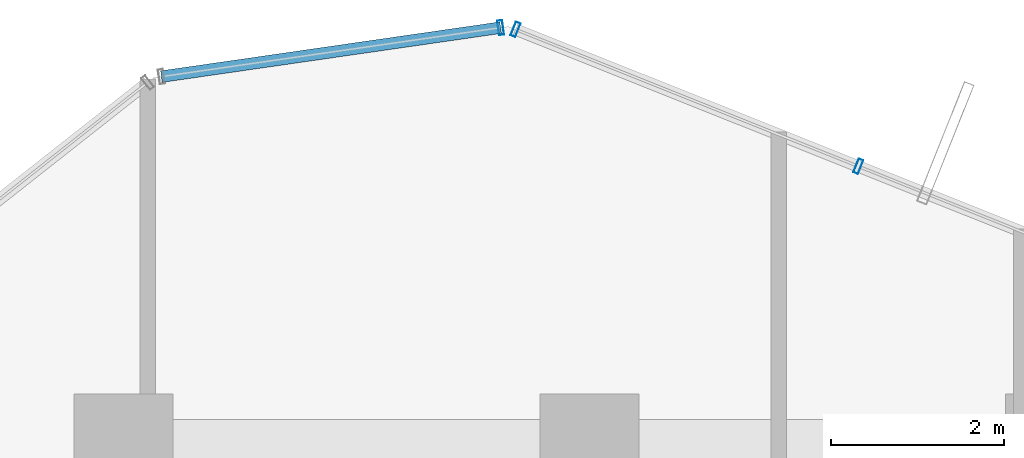
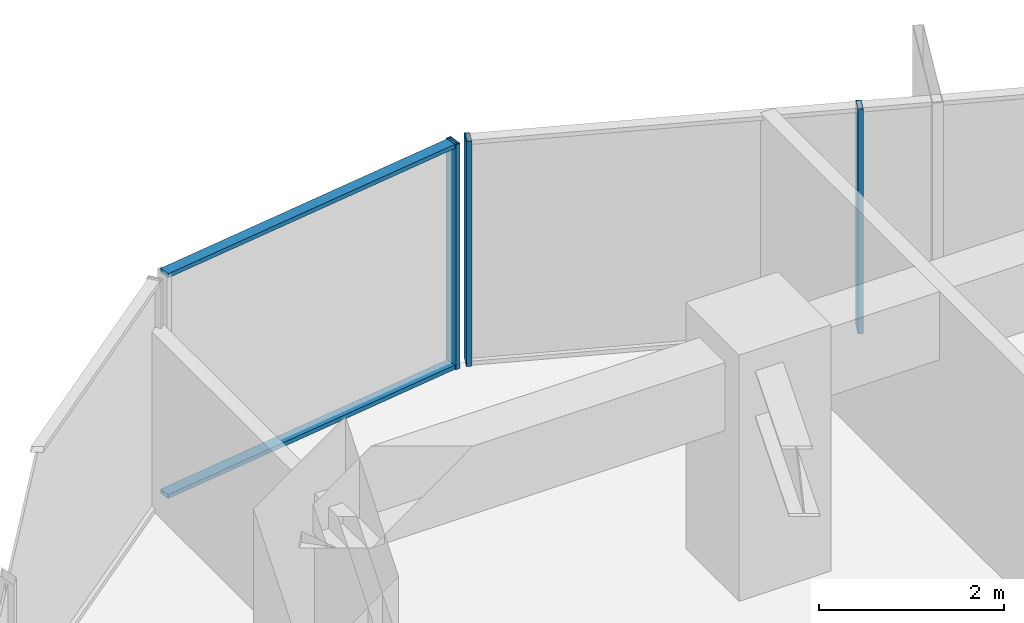
# One storey, part 27 of 34: 5 members, 2 elements without a shape of their own.
"""IFC4 building model written with IfcOpenShell, lengths in metres."""

from ifc_helpers import new_model, si_unit, direction, frame, origin, origin_2d, place, context, subcontext, project, spatial, hollow_rectangle, extrude, source, transform, mapped, material, layer, layer_set, material_profile, profile_set, type_object, element, aggregate, save


model = new_model("IFC4")

# Units and contexts
model_context = context("Model", 3, precision=1e-05, world=origin(), true_north=direction((0.0, 1.0)))
body_context = subcontext(model_context, "Body", "Model", "MODEL_VIEW")
ifc_project = project(units=[si_unit("LENGTHUNIT", "METRE"), si_unit("AREAUNIT", "SQUARE_METRE"), si_unit("VOLUMEUNIT", "CUBIC_METRE"), si_unit("PLANEANGLEUNIT", "RADIAN"), si_unit("MASSUNIT", "GRAM", prefix="KILO")], contexts=[model_context])

# Site, building, storey
site_placement = place(None, origin())
site = spatial("IfcSite", under=ifc_project, at=site_placement, CompositionType="ELEMENT")
building_placement = place(site_placement, origin())
building = spatial("IfcBuilding", under=site, at=building_placement, Name="Veraguas Prism Commons", CompositionType="ELEMENT")
storey_placement = place(building_placement, frame((0.0, 0.0, 155.5)))
storey = spatial("IfcBuildingStorey", under=building, at=storey_placement, Name="L44", CompositionType="ELEMENT", Elevation=155.5)

# Curtain wall, members
ifc_material = material(Name="Anodised aluminium EN AW-6063 T6", Category="aluminium")
ifc_layer = layer(ifc_material, 0.169921875, Name="Unitised Flush Curtain Wall Zone 2", Category="aluminium")
ifc_layer_set = layer_set([ifc_layer], Name="Anodised aluminium EN AW-6063 T6")
curtain_wall_type = type_object("IfcCurtainWallType", Name="Unitised Flush Curtain Wall Zone 2", PredefinedType="NOTDEFINED", material=ifc_layer_set)
curtain_wall_1_placement = place(storey_placement, origin())
curtain_wall_1 = element("IfcCurtainWall", 1, at=curtain_wall_1_placement, inside=storey, type_object=curtain_wall_type, Name="Tower Facade Curtain Wall L44-F1", PredefinedType="NOTDEFINED")
ifc_material_profile_1 = material_profile(ifc_material, hollow_rectangle(XDim=0.06005859375, YDim=0.169921875, WallThickness=0.00390625, at=origin_2d()), Name="AL60X170X4")
ifc_profile_set_1 = profile_set([ifc_material_profile_1], Name="Anodised aluminium EN AW-6063 T6")
member_type_1 = type_object("IfcMemberType", Name="Curtain Wall Mullion Lower AL 60x170x4", PredefinedType="MULLION", material=ifc_profile_set_1)
shared_shape_1 = source(origin(), body_context, "Body", "SweptSolid", [
    extrude(hollow_rectangle(XDim=0.06005859375, YDim=0.169921875, WallThickness=0.00390625, at=origin_2d()), origin(), (0.0, 0.0, 1.0), 2.969970703125),
])
member_1_placement = place(storey_placement, frame((27.116455078125, 43.411865234375, 0.0), z_axis=(0.0, 0.0, 1.0), x_axis=(-0.928617344909, 0.371038848013, 0.0)))
member_1 = element("IfcMember", 2, at=member_1_placement, type_object=member_type_1, Name="CW-Z2 Mullion 4", PredefinedType="MULLION", context=body_context, shape_type="MappedRepresentation", body=[
    mapped(shared_shape_1, transform((0.0, 0.0, 0.0), scale=1.0)),
])
member_2_placement = place(storey_placement, frame((23.143310546875, 44.999267578125, 0.0), z_axis=(0.0, 0.0, 1.0), x_axis=(-0.928617344909, 0.371038848013, 0.0)))
member_2 = element("IfcMember", 3, at=member_2_placement, type_object=member_type_1, Name="CW-Z2 Mullion 5", PredefinedType="MULLION", context=body_context, shape_type="MappedRepresentation", body=[
    mapped(shared_shape_1, transform((0.0, 0.0, 0.0), scale=1.0)),
])
aggregate(curtain_wall_1, [member_1, member_2])

curtain_wall_2_placement = place(storey_placement, origin())
curtain_wall_2 = element("IfcCurtainWall", 4, at=curtain_wall_2_placement, inside=storey, type_object=curtain_wall_type, Name="Chamfer Curtain Wall L44-C2", PredefinedType="NOTDEFINED")
member_3_placement = place(storey_placement, frame((22.970703125, 45.019775390625, 0.0), z_axis=(0.0, 0.0, 1.0), x_axis=(-0.989731124385, -0.142941601442, 0.0)))
member_3 = element("IfcMember", 5, at=member_3_placement, type_object=member_type_1, Name="CW-Z2 Mullion 1", PredefinedType="MULLION", context=body_context, shape_type="MappedRepresentation", body=[
    mapped(shared_shape_1, transform((0.0, 0.0, 0.0), scale=1.0)),
])
ifc_material_profile_2 = material_profile(ifc_material, hollow_rectangle(XDim=0.054931640625, YDim=0.135009765625, WallThickness=0.0029296875, at=origin_2d()), Name="AL55X135X3")
ifc_profile_set_2 = profile_set([ifc_material_profile_2], Name="Anodised aluminium EN AW-6063 T6")
member_type_2 = type_object("IfcMemberType", Name="Curtain Wall Transom Standard AL 55x135x3", PredefinedType="USERDEFINED", material=ifc_profile_set_2)
shared_shape_2 = source(origin(), body_context, "Body", "SweptSolid", [
    extrude(hollow_rectangle(XDim=0.054931640625, YDim=0.135009765625, WallThickness=0.0029296875, at=origin_2d()), origin(), (0.0, 0.0, 1.0), 3.97314453125),
])
member_4_placement = place(storey_placement, frame((22.970703125, 45.019775390625, 0.027587890625), z_axis=(-0.989733283046, -0.142926654024, 0.0), x_axis=(0.0, 0.0, 1.0)))
member_4 = element("IfcMember", 6, at=member_4_placement, type_object=member_type_2, Name="CW-Z2 Transom 1", ObjectType="TRANSOM", PredefinedType="USERDEFINED", context=body_context, shape_type="MappedRepresentation", body=[
    mapped(shared_shape_2, transform((0.0, 0.0, 0.0), scale=1.0)),
])
member_5_placement = place(storey_placement, frame((22.970703125, 45.019775390625, 2.9423828125), z_axis=(-0.989733283046, -0.142926654024, 0.0), x_axis=(0.0, 0.0, 1.0)))
member_5 = element("IfcMember", 7, at=member_5_placement, type_object=member_type_2, Name="CW-Z2 Transom 2", ObjectType="TRANSOM", PredefinedType="USERDEFINED", context=body_context, shape_type="MappedRepresentation", body=[
    mapped(shared_shape_2, transform((0.0, 0.0, 0.0), scale=1.0)),
])
aggregate(curtain_wall_2, [member_3, member_4, member_5])

save(model, "model.ifc")
